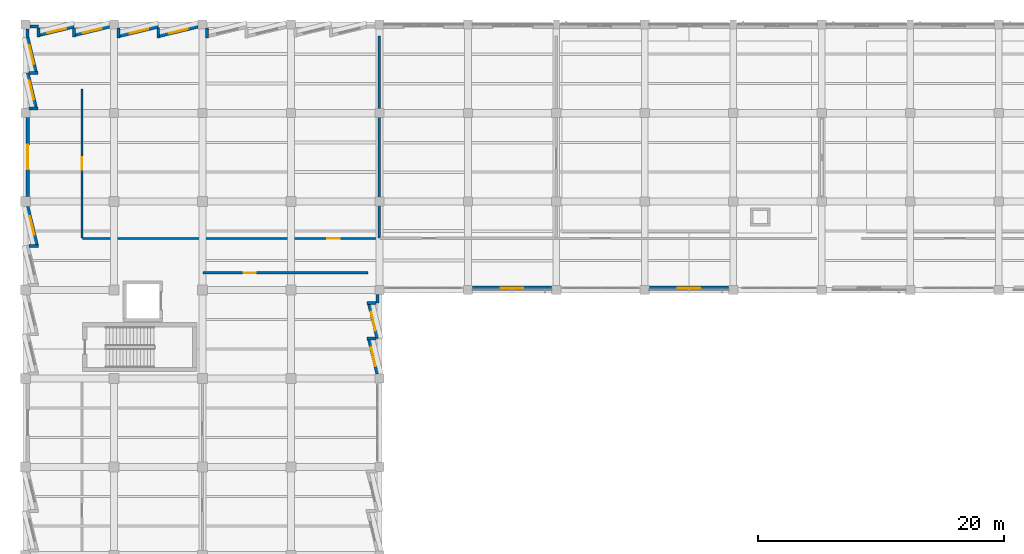
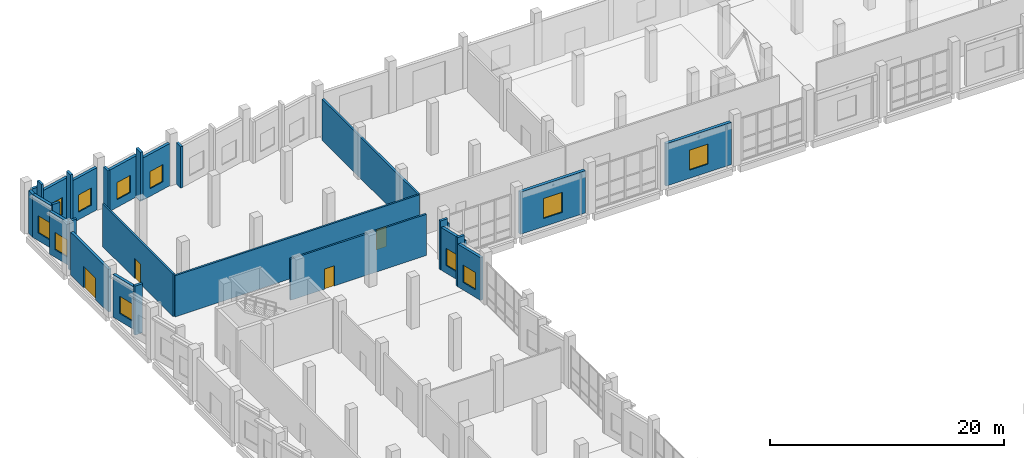
# One storey, part 108 of 137: 29 walls, 11 windows, 4 doors, 15 openings.
"""IFC4 building model written with IfcOpenShell, lengths in metres."""

from ifc_helpers import new_model, si_unit, direction, frame, frame_2d, origin, place, context, subcontext, project, spatial, rectangle, extrude, material, layer, layer_set, type_object, element, fill, save


model = new_model("IFC4")

# Units and contexts
model_context = context("Model", 3, precision=1e-05, world=origin(), true_north=direction((0.0, 1.0)))
body_context = subcontext(model_context, "Body", "Model", "MODEL_VIEW")
ifc_project = project(units=[si_unit("LENGTHUNIT", "METRE"), si_unit("AREAUNIT", "SQUARE_METRE"), si_unit("VOLUMEUNIT", "CUBIC_METRE"), si_unit("PLANEANGLEUNIT", "RADIAN"), si_unit("MASSUNIT", "GRAM", prefix="KILO")], contexts=[model_context])

# Site, building, storey
site_placement = place(None, origin())
site = spatial("IfcSite", under=ifc_project, at=site_placement, CompositionType="ELEMENT")
building_placement = place(site_placement, origin())
building = spatial("IfcBuilding", under=site, at=building_placement, Name="Kalmorath City Hall", CompositionType="ELEMENT")
storey_placement = place(building_placement, origin())
storey = spatial("IfcBuildingStorey", under=building, at=storey_placement, Name="L00", CompositionType="ELEMENT", Elevation=0.0)

# Wall, opening, door
ifc_material_1 = material(Name="Fire-rated acoustic gypsum partition")
ifc_layer_1 = layer(ifc_material_1, 0.179931640625)
ifc_layer_set_1 = layer_set([ifc_layer_1], Name="Fire-rated acoustic gypsum partition")
wall_type_1 = type_object("IfcWallType", Name="One-hour corridor fire partition 180", PredefinedType="PARTITIONING", material=ifc_layer_set_1)
wall_1_placement = place(storey_placement, frame((4.60009765625, 97.840087890625, 0.0), z_axis=(0.0, 0.0, 1.0), x_axis=(0.0, 1.0, 0.0)))
wall_1 = element("IfcWall", 1, at=wall_1_placement, inside=storey, type_object=wall_type_1, Name="L00 interior partition PW2 #22", PredefinedType="PARTITIONING", context=body_context, shape_type="SweptSolid", body=[
    extrude(rectangle(XDim=12.119873046875, YDim=0.179931640625, at=frame_2d((6.06005859375, 0.0))), origin(), (0.0, 0.0, 1.0), 4.449951171875),
])
opening_1_placement = place(wall_1_placement, frame((5.56005859375, 0.0, 0.0)))
opening_1 = element("IfcOpeningElement", 2, at=opening_1_placement, cuts=wall_1, Name="Opening D-L00-146", PredefinedType="OPENING", context=body_context, shape_type="SweptSolid", body=[
    extrude(rectangle(XDim=1.0, YDim=2.10009765625, at=frame_2d((0.5, 1.050048828125))), frame((0.0, 0.099853515625, 0.0), z_axis=(0.0, -1.0, 0.0), x_axis=(1.0, 0.0, 0.0)), (0.0, 0.0, 1.0), 0.199951171875),
])
ifc_material_2 = material(Name="Hardwood fire door", Category="wood")
door_type_1 = type_object("IfcDoorType", Name="Corridor 60-min fire door 1000x2100", OperationType="NOTDEFINED", PredefinedType="DOOR", material=ifc_material_2)
door_1_placement = place(opening_1_placement, origin())
door_1 = element("IfcDoor", 3, at=door_1_placement, inside=storey, type_object=door_type_1, Name="L00 door D-L00-146", OperationType="SINGLE_SWING_RIGHT", OverallHeight=2.10009765625, OverallWidth=1.0, PredefinedType="DOOR", context=body_context, shape_type="SweptSolid", body=[
    extrude(rectangle(XDim=1.0, YDim=2.10009765625, at=frame_2d((0.5, 1.050048828125))), frame((0.0, 0.02490234375, 0.0), z_axis=(0.0, -1.0, 0.0), x_axis=(1.0, 0.0, 0.0)), (0.0, 0.0, 1.0), 0.050048828125),
])
fill(opening_1, door_1)

wall_2_placement = place(storey_placement, frame((14.43994140625, 95.0, 0.0), z_axis=(0.0, 0.0, 1.0), x_axis=(1.0, 0.0, 0.0)))
wall_2 = element("IfcWall", 4, at=wall_2_placement, inside=storey, type_object=wall_type_1, Name="L00 interior partition PW2 #37", PredefinedType="PARTITIONING", context=body_context, shape_type="SweptSolid", body=[
    extrude(rectangle(XDim=13.420166015625, YDim=0.179931640625, at=frame_2d((6.7099609375, 0.0))), origin(), (0.0, 0.0, 1.0), 4.31103515625),
])
opening_2_placement = place(wall_2_placement, frame((3.31494140625, 0.0, 0.0)))
opening_2 = element("IfcOpeningElement", 5, at=opening_2_placement, cuts=wall_2, Name="Opening D-L00-143", PredefinedType="OPENING", context=body_context, shape_type="SweptSolid", body=[
    extrude(rectangle(XDim=1.0, YDim=2.10009765625, at=frame_2d((0.5, 1.050048828125))), frame((0.0, 0.099853515625, 0.0), z_axis=(0.0, -1.0, 0.0), x_axis=(1.0, 0.0, 0.0)), (0.0, 0.0, 1.0), 0.199951171875),
])
door_2_placement = place(opening_2_placement, origin())
door_2 = element("IfcDoor", 6, at=door_2_placement, inside=storey, type_object=door_type_1, Name="L00 door D-L00-143", OperationType="SINGLE_SWING_LEFT", OverallHeight=2.10009765625, OverallWidth=1.0, PredefinedType="DOOR", context=body_context, shape_type="SweptSolid", body=[
    extrude(rectangle(XDim=1.0, YDim=2.10009765625, at=frame_2d((0.5, 1.050048828125))), frame((0.0, 0.02490234375, 0.0), z_axis=(0.0, -1.0, 0.0), x_axis=(1.0, 0.0, 0.0)), (0.0, 0.0, 1.0), 0.050048828125),
])
fill(opening_2, door_2)

wall_3_placement = place(storey_placement, frame((4.639892578125, 97.800048828125, 0.0), z_axis=(0.0, 0.0, 1.0), x_axis=(1.0, 0.0, 0.0)))
wall_3 = element("IfcWall", 7, at=wall_3_placement, inside=storey, type_object=wall_type_1, Name="L00 interior partition PW2 #38", PredefinedType="PARTITIONING", context=body_context, shape_type="SweptSolid", body=[
    extrude(rectangle(XDim=24.1201171875, YDim=0.179931640625, at=frame_2d((12.06005859375, 0.0))), origin(), (0.0, 0.0, 1.0), 4.31103515625),
])
opening_3_placement = place(wall_3_placement, frame((19.9150390625, 0.0, 0.0)))
opening_3 = element("IfcOpeningElement", 8, at=opening_3_placement, cuts=wall_3, Name="Opening D-L00-145", PredefinedType="OPENING", context=body_context, shape_type="SweptSolid", body=[
    extrude(rectangle(XDim=1.0, YDim=2.10009765625, at=frame_2d((0.5, 1.050048828125))), frame((0.0, 0.099853515625, 0.0), z_axis=(0.0, -1.0, 0.0), x_axis=(1.0, 0.0, 0.0)), (0.0, 0.0, 1.0), 0.199951171875),
])
door_3_placement = place(opening_3_placement, origin())
door_3 = element("IfcDoor", 9, at=door_3_placement, inside=storey, type_object=door_type_1, Name="L00 door D-L00-145", OperationType="SINGLE_SWING_LEFT", OverallHeight=2.10009765625, OverallWidth=1.0, PredefinedType="DOOR", context=body_context, shape_type="SweptSolid", body=[
    extrude(rectangle(XDim=1.0, YDim=2.10009765625, at=frame_2d((0.5, 1.050048828125))), frame((0.0, 0.02490234375, 0.0), z_axis=(0.0, -1.0, 0.0), x_axis=(1.0, 0.0, 0.0)), (0.0, 0.0, 1.0), 0.050048828125),
])
fill(opening_3, door_3)

# Walls
ifc_material_3 = material(Name="Precast concrete C40/50", Category="concrete")
ifc_layer_2 = layer(ifc_material_3, 0.239990234375)
ifc_layer_set_2 = layer_set([ifc_layer_2], Name="Precast concrete C40/50")
wall_type_2 = type_object("IfcWallType", Name="Precast sawtooth cheek wall 240", PredefinedType="SOLIDWALL", material=ifc_layer_set_2)
wall_4_placement = place(storey_placement, frame((1.072998046875, 97.199951171875, 0.0), z_axis=(0.0, 0.0, 1.0), x_axis=(-1.0, 0.0, 0.0)))
element("IfcWall", 10, at=wall_4_placement, inside=storey, type_object=wall_type_2, Name="L00 sawtooth return cheek #50", PredefinedType="SOLIDWALL", context=body_context, shape_type="SweptSolid", body=[
    extrude(rectangle(XDim=0.781005859375, YDim=0.239990234375, at=frame_2d((0.390625, 0.0))), origin(), (0.0, 0.0, 1.0), 5.1201171875),
])
for number, where, z_axis, x_axis, name in (
    (11, (0.997314453125, 108.3759765625, 0.0), (0.0, 0.0, 1.0), (-1.0, 0.0, 0.0), "L00 sawtooth return cheek #54"),
    (12, (0.997314453125, 111.260009765625, 0.0), (0.0, 0.0, 1.0), (-1.0, 0.0, 0.0), "L00 sawtooth return cheek #56"),
):
    element("IfcWall", number, at=place(storey_placement, frame(where, z_axis=z_axis, x_axis=x_axis)), inside=storey, type_object=wall_type_2, Name=name, PredefinedType="SOLIDWALL", context=body_context, shape_type="SweptSolid", body=[
        extrude(rectangle(XDim=0.705322265625, YDim=0.239990234375, at=frame_2d((0.3525390625, 0.0))), origin(), (0.0, 0.0, 1.0), 5.1201171875),
    ])
wall_5_placement = place(storey_placement, frame((1.055908203125, 114.20263671875, 0.0), z_axis=(0.0, 0.0, 1.0), x_axis=(0.0, 1.0, 0.0)))
element("IfcWall", 13, at=wall_5_placement, inside=storey, type_object=wall_type_2, Name="L00 sawtooth return cheek #59", PredefinedType="SOLIDWALL", context=body_context, shape_type="SweptSolid", body=[
    extrude(rectangle(XDim=0.71533203125, YDim=0.239990234375, at=frame_2d((0.357666015625, 0.0))), origin(), (0.0, 0.0, 1.0), 5.1201171875),
])
wall_6_placement = place(storey_placement, frame((3.93994140625, 114.20263671875, 0.0), z_axis=(0.0, 0.0, 1.0), x_axis=(0.0, 1.0, 0.0)))
element("IfcWall", 14, at=wall_6_placement, inside=storey, type_object=wall_type_2, Name="L00 sawtooth return cheek #61", PredefinedType="SOLIDWALL", context=body_context, shape_type="SweptSolid", body=[
    extrude(rectangle(XDim=0.705322265625, YDim=0.239990234375, at=frame_2d((0.3525390625, 0.0))), origin(), (0.0, 0.0, 1.0), 5.1201171875),
])
wall_7_placement = place(storey_placement, frame((7.575927734375, 114.12109375, 0.0), z_axis=(0.0, 0.0, 1.0), x_axis=(0.0, 1.0, 0.0)))
element("IfcWall", 15, at=wall_7_placement, inside=storey, type_object=wall_type_2, Name="L00 sawtooth return cheek #63", PredefinedType="SOLIDWALL", context=body_context, shape_type="SweptSolid", body=[
    extrude(rectangle(XDim=0.786865234375, YDim=0.239990234375, at=frame_2d((0.3935546875, 0.0))), origin(), (0.0, 0.0, 1.0), 4.31103515625),
])
wall_8_placement = place(storey_placement, frame((10.800048828125, 114.12109375, 0.0), z_axis=(0.0, 0.0, 1.0), x_axis=(0.0, 1.0, 0.0)))
element("IfcWall", 16, at=wall_8_placement, inside=storey, type_object=wall_type_2, Name="L00 sawtooth return cheek #65", PredefinedType="SOLIDWALL", context=body_context, shape_type="SweptSolid", body=[
    extrude(rectangle(XDim=0.786865234375, YDim=0.239990234375, at=frame_2d((0.3935546875, 0.0))), origin(), (0.0, 0.0, 1.0), 5.1201171875),
])
wall_9_placement = place(storey_placement, frame((14.77587890625, 114.12109375, 0.0), z_axis=(0.0, 0.0, 1.0), x_axis=(0.0, 1.0, 0.0)))
element("IfcWall", 17, at=wall_9_placement, inside=storey, type_object=wall_type_2, Name="L00 sawtooth return cheek #67", PredefinedType="SOLIDWALL", context=body_context, shape_type="SweptSolid", body=[
    extrude(rectangle(XDim=0.786865234375, YDim=0.239990234375, at=frame_2d((0.3935546875, 0.0))), origin(), (0.0, 0.0, 1.0), 4.31103515625),
])
wall_10_placement = place(storey_placement, frame((27.802490234375, 92.5439453125, 0.0), z_axis=(0.0, 0.0, 1.0), x_axis=(1.0, 0.0, 0.0)))
element("IfcWall", 18, at=wall_10_placement, inside=storey, type_object=wall_type_2, Name="L00 sawtooth return cheek #144", PredefinedType="SOLIDWALL", context=body_context, shape_type="SweptSolid", body=[
    extrude(rectangle(XDim=0.715576171875, YDim=0.239990234375, at=frame_2d((0.35791015625, 0.0))), origin(), (0.0, 0.0, 1.0), 5.1201171875),
])
wall_11_placement = place(storey_placement, frame((27.802490234375, 89.659912109375, 0.0), z_axis=(0.0, 0.0, 1.0), x_axis=(1.0, 0.0, 0.0)))
element("IfcWall", 19, at=wall_11_placement, inside=storey, type_object=wall_type_2, Name="L00 sawtooth return cheek #146", PredefinedType="SOLIDWALL", context=body_context, shape_type="SweptSolid", body=[
    extrude(rectangle(XDim=0.70556640625, YDim=0.239990234375, at=frame_2d((0.352783203125, 0.0))), origin(), (0.0, 0.0, 1.0), 5.1201171875),
])

# Wall, opening, window
ifc_material_4 = material(Name="Precast concrete C40/50", Category="concrete")
ifc_layer_3 = layer(ifc_material_4, 0.280029296875)
ifc_layer_set_3 = layer_set([ifc_layer_3], Name="Precast concrete C40/50")
wall_type_3 = type_object("IfcWallType", Name="Precast sawtooth facade wall 280", PredefinedType="SOLIDWALL", material=ifc_layer_set_3)
wall_12_placement = place(storey_placement, frame((0.90576171875, 97.29248046875, 0.0), z_axis=(0.0, 0.0, 1.0), x_axis=(-0.233462551123, 0.972365793939, 0.0)))
wall_12 = element("IfcWall", 20, at=wall_12_placement, inside=storey, type_object=wall_type_3, Name="L00 sawtooth precast frame #49", PredefinedType="SOLIDWALL", context=body_context, shape_type="SweptSolid", body=[
    extrude(rectangle(XDim=3.19482421875, YDim=0.280029296875, at=frame_2d((1.597412109375, 0.0))), origin(), (0.0, 0.0, 1.0), 4.4609375),
])
opening_4_placement = place(wall_12_placement, frame((0.822509765625, 0.0, 0.800048828125)))
opening_4 = element("IfcOpeningElement", 21, at=opening_4_placement, cuts=wall_12, Name="Opening WN5", PredefinedType="OPENING", context=body_context, shape_type="SweptSolid", body=[
    extrude(rectangle(XDim=1.550048828125, YDim=1.800048828125, at=frame_2d((0.77490234375, 0.89990234375))), frame((0.0, 0.14990234375, 0.0), z_axis=(0.0, -1.0, 0.0), x_axis=(1.0, 0.0, 0.0)), (0.0, 0.0, 1.0), 0.300048828125),
])
ifc_material_5 = material(Name="Aluminium and laminated glass", Category="aluminium")
window_type_1 = type_object("IfcWindowType", Name="Sawtooth corner bay window 1550x1800", PartitioningType="SINGLE_PANEL", PredefinedType="WINDOW", material=ifc_material_5)
window_1_placement = place(opening_4_placement, origin())
window_1 = element("IfcWindow", 22, at=window_1_placement, inside=storey, type_object=window_type_1, Name="L00 window WN5-22", OverallHeight=1.800048828125, OverallWidth=1.550048828125, PartitioningType="SINGLE_PANEL", PredefinedType="WINDOW", context=body_context, shape_type="SweptSolid", body=[
    extrude(rectangle(XDim=1.550048828125, YDim=1.800048828125, at=frame_2d((0.77490234375, 0.89990234375))), frame((0.0, 0.030029296875, 0.0), z_axis=(0.0, -1.0, 0.0), x_axis=(1.0, 0.0, 0.0)), (0.0, 0.0, 1.0), 0.06005859375),
])
fill(opening_4, window_1)

# Wall, opening, door
wall_13_placement = place(storey_placement, frame((0.179931640625, 101.200927734375, 0.0), z_axis=(0.0, 0.0, 1.0), x_axis=(0.0, 1.0, 0.0)))
wall_13 = element("IfcWall", 23, at=wall_13_placement, inside=storey, type_object=wall_type_3, Name="L00 entrance portal wall #51", PredefinedType="SOLIDWALL", context=body_context, shape_type="SweptSolid", body=[
    extrude(rectangle(XDim=6.423095703125, YDim=0.280029296875, at=frame_2d((3.21142578125, 0.0))), origin(), (0.0, 0.0, 1.0), 4.4609375),
])
opening_5_placement = place(wall_13_placement, frame((2.21142578125, 0.0, 0.0)))
opening_5 = element("IfcOpeningElement", 24, at=opening_5_placement, cuts=wall_13, Name="Opening D-E004", PredefinedType="OPENING", context=body_context, shape_type="SweptSolid", body=[
    extrude(rectangle(XDim=2.0, YDim=2.25, at=frame_2d((1.0, 1.125))), frame((0.0, 0.14990234375, 0.0), z_axis=(0.0, -1.0, 0.0), x_axis=(1.0, 0.0, 0.0)), (0.0, 0.0, 1.0), 0.300048828125),
])
ifc_material_6 = material(Name="Galvanised steel and impact glass", Category="steel")
door_type_2 = type_object("IfcDoorType", Name="Hurricane exit discharge double door 2000x2250", OperationType="DOUBLE_DOOR_SINGLE_SWING", PredefinedType="DOOR", material=ifc_material_6)
door_4_placement = place(opening_5_placement, origin())
door_4 = element("IfcDoor", 25, at=door_4_placement, inside=storey, type_object=door_type_2, Name="L00 exterior door D-E004", OperationType="DOUBLE_DOOR_SINGLE_SWING", OverallHeight=2.25, OverallWidth=2.0, PredefinedType="DOOR", context=body_context, shape_type="SweptSolid", body=[
    extrude(rectangle(XDim=2.0, YDim=2.25, at=frame_2d((1.0, 1.125))), frame((0.0, 0.02490234375, 0.0), z_axis=(0.0, -1.0, 0.0), x_axis=(1.0, 0.0, 0.0)), (0.0, 0.0, 1.0), 0.050048828125),
])
fill(opening_5, door_4)

# Wall, opening, window
wall_14_placement = place(storey_placement, frame((0.830078125, 108.468505859375, 0.0), z_axis=(0.0, 0.0, 1.0), x_axis=(-0.233440496677, 0.972371088891, 0.0)))
wall_14 = element("IfcWall", 26, at=wall_14_placement, inside=storey, type_object=wall_type_3, Name="L00 sawtooth precast frame #53", PredefinedType="SOLIDWALL", context=body_context, shape_type="SweptSolid", body=[
    extrude(rectangle(XDim=2.870849609375, YDim=0.280029296875, at=frame_2d((1.435546875, 0.0))), origin(), (0.0, 0.0, 1.0), 4.4609375),
])
opening_6_placement = place(wall_14_placement, frame((0.660400390625, 0.0, 0.800048828125)))
opening_6 = element("IfcOpeningElement", 27, at=opening_6_placement, cuts=wall_14, Name="Opening WN5", PredefinedType="OPENING", context=body_context, shape_type="SweptSolid", body=[
    extrude(rectangle(XDim=1.550048828125, YDim=1.800048828125, at=frame_2d((0.77490234375, 0.89990234375))), frame((0.0, 0.14990234375, 0.0), z_axis=(0.0, -1.0, 0.0), x_axis=(1.0, 0.0, 0.0)), (0.0, 0.0, 1.0), 0.300048828125),
])
window_2_placement = place(opening_6_placement, origin())
window_2 = element("IfcWindow", 28, at=window_2_placement, inside=storey, type_object=window_type_1, Name="L00 window WN5-23", OverallHeight=1.800048828125, OverallWidth=1.550048828125, PartitioningType="SINGLE_PANEL", PredefinedType="WINDOW", context=body_context, shape_type="SweptSolid", body=[
    extrude(rectangle(XDim=1.550048828125, YDim=1.800048828125, at=frame_2d((0.77490234375, 0.89990234375))), frame((0.0, 0.030029296875, 0.0), z_axis=(0.0, -1.0, 0.0), x_axis=(1.0, 0.0, 0.0)), (0.0, 0.0, 1.0), 0.06005859375),
])
fill(opening_6, window_2)

wall_15_placement = place(storey_placement, frame((0.830078125, 111.352294921875, 0.0), z_axis=(0.0, 0.0, 1.0), x_axis=(-0.233421194459, 0.972375722639, 0.0)))
wall_15 = element("IfcWall", 29, at=wall_15_placement, inside=storey, type_object=wall_type_3, Name="L00 sawtooth precast frame #55", PredefinedType="SOLIDWALL", context=body_context, shape_type="SweptSolid", body=[
    extrude(rectangle(XDim=2.87109375, YDim=0.280029296875, at=frame_2d((1.435546875, 0.0))), origin(), (0.0, 0.0, 1.0), 4.4609375),
])
opening_7_placement = place(wall_15_placement, frame((0.660400390625, 0.0, 0.800048828125)))
opening_7 = element("IfcOpeningElement", 30, at=opening_7_placement, cuts=wall_15, Name="Opening WN5", PredefinedType="OPENING", context=body_context, shape_type="SweptSolid", body=[
    extrude(rectangle(XDim=1.550048828125, YDim=1.800048828125, at=frame_2d((0.77490234375, 0.89990234375))), frame((0.0, 0.14990234375, 0.0), z_axis=(0.0, -1.0, 0.0), x_axis=(1.0, 0.0, 0.0)), (0.0, 0.0, 1.0), 0.300048828125),
])
window_3_placement = place(opening_7_placement, origin())
window_3 = element("IfcWindow", 31, at=window_3_placement, inside=storey, type_object=window_type_1, Name="L00 window WN5-24", OverallHeight=1.800048828125, OverallWidth=1.550048828125, PartitioningType="SINGLE_PANEL", PredefinedType="WINDOW", context=body_context, shape_type="SweptSolid", body=[
    extrude(rectangle(XDim=1.550048828125, YDim=1.800048828125, at=frame_2d((0.77490234375, 0.89990234375))), frame((0.0, 0.030029296875, 0.0), z_axis=(0.0, -1.0, 0.0), x_axis=(1.0, 0.0, 0.0)), (0.0, 0.0, 1.0), 0.06005859375),
])
fill(opening_7, window_3)

wall_16_placement = place(storey_placement, frame((1.1484375, 114.369873046875, 0.0), z_axis=(0.0, 0.0, 1.0), x_axis=(0.972371088891, 0.233440496677, 0.0)))
wall_16 = element("IfcWall", 32, at=wall_16_placement, inside=storey, type_object=wall_type_3, Name="L00 sawtooth precast frame #58", PredefinedType="SOLIDWALL", context=body_context, shape_type="SweptSolid", body=[
    extrude(rectangle(XDim=2.870849609375, YDim=0.280029296875, at=frame_2d((1.435546875, 0.0))), origin(), (0.0, 0.0, 1.0), 4.410888671875),
])
opening_8_placement = place(wall_16_placement, frame((0.660400390625, 0.0, 0.800048828125)))
opening_8 = element("IfcOpeningElement", 33, at=opening_8_placement, cuts=wall_16, Name="Opening WN5", PredefinedType="OPENING", context=body_context, shape_type="SweptSolid", body=[
    extrude(rectangle(XDim=1.550048828125, YDim=1.800048828125, at=frame_2d((0.77490234375, 0.89990234375))), frame((0.0, 0.14990234375, 0.0), z_axis=(0.0, -1.0, 0.0), x_axis=(1.0, 0.0, 0.0)), (0.0, 0.0, 1.0), 0.300048828125),
])
window_4_placement = place(opening_8_placement, origin())
window_4 = element("IfcWindow", 34, at=window_4_placement, inside=storey, type_object=window_type_1, Name="L00 window WN5-25", OverallHeight=1.800048828125, OverallWidth=1.550048828125, PartitioningType="SINGLE_PANEL", PredefinedType="WINDOW", context=body_context, shape_type="SweptSolid", body=[
    extrude(rectangle(XDim=1.550048828125, YDim=1.800048828125, at=frame_2d((0.77490234375, 0.89990234375))), frame((0.0, 0.030029296875, 0.0), z_axis=(0.0, -1.0, 0.0), x_axis=(1.0, 0.0, 0.0)), (0.0, 0.0, 1.0), 0.06005859375),
])
fill(opening_8, window_4)

wall_17_placement = place(storey_placement, frame((4.032470703125, 114.369873046875, 0.0), z_axis=(0.0, 0.0, 1.0), x_axis=(0.972371088891, 0.233440496677, 0.0)))
wall_17 = element("IfcWall", 35, at=wall_17_placement, inside=storey, type_object=wall_type_3, Name="L00 sawtooth precast frame #60", PredefinedType="SOLIDWALL", context=body_context, shape_type="SweptSolid", body=[
    extrude(rectangle(XDim=2.870849609375, YDim=0.280029296875, at=frame_2d((1.435546875, 0.0))), origin(), (0.0, 0.0, 1.0), 4.410888671875),
])
opening_9_placement = place(wall_17_placement, frame((0.660400390625, 0.0, 0.800048828125)))
opening_9 = element("IfcOpeningElement", 36, at=opening_9_placement, cuts=wall_17, Name="Opening WN5", PredefinedType="OPENING", context=body_context, shape_type="SweptSolid", body=[
    extrude(rectangle(XDim=1.550048828125, YDim=1.800048828125, at=frame_2d((0.77490234375, 0.89990234375))), frame((0.0, 0.14990234375, 0.0), z_axis=(0.0, -1.0, 0.0), x_axis=(1.0, 0.0, 0.0)), (0.0, 0.0, 1.0), 0.300048828125),
])
window_5_placement = place(opening_9_placement, origin())
window_5 = element("IfcWindow", 37, at=window_5_placement, inside=storey, type_object=window_type_1, Name="L00 window WN5-26", OverallHeight=1.800048828125, OverallWidth=1.550048828125, PartitioningType="SINGLE_PANEL", PredefinedType="WINDOW", context=body_context, shape_type="SweptSolid", body=[
    extrude(rectangle(XDim=1.550048828125, YDim=1.800048828125, at=frame_2d((0.77490234375, 0.89990234375))), frame((0.0, 0.030029296875, 0.0), z_axis=(0.0, -1.0, 0.0), x_axis=(1.0, 0.0, 0.0)), (0.0, 0.0, 1.0), 0.06005859375),
])
fill(opening_9, window_5)

wall_18_placement = place(storey_placement, frame((7.66845703125, 114.2880859375, 0.0), z_axis=(0.0, 0.0, 1.0), x_axis=(0.972361148033, 0.233481900362, 0.0)))
wall_18 = element("IfcWall", 38, at=wall_18_placement, inside=storey, type_object=wall_type_3, Name="L00 sawtooth precast frame #62", PredefinedType="SOLIDWALL", context=body_context, shape_type="SweptSolid", body=[
    extrude(rectangle(XDim=3.220703125, YDim=0.280029296875, at=frame_2d((1.6103515625, 0.0))), origin(), (0.0, 0.0, 1.0), 4.31103515625),
])
opening_10_placement = place(wall_18_placement, frame((0.835205078125, 0.0, 0.800048828125)))
opening_10 = element("IfcOpeningElement", 39, at=opening_10_placement, cuts=wall_18, Name="Opening WN5", PredefinedType="OPENING", context=body_context, shape_type="SweptSolid", body=[
    extrude(rectangle(XDim=1.550048828125, YDim=1.800048828125, at=frame_2d((0.77490234375, 0.89990234375))), frame((0.0, 0.14990234375, 0.0), z_axis=(0.0, -1.0, 0.0), x_axis=(1.0, 0.0, 0.0)), (0.0, 0.0, 1.0), 0.300048828125),
])
window_6_placement = place(opening_10_placement, origin())
window_6 = element("IfcWindow", 40, at=window_6_placement, inside=storey, type_object=window_type_1, Name="L00 window WN5-27", OverallHeight=1.800048828125, OverallWidth=1.550048828125, PartitioningType="SINGLE_PANEL", PredefinedType="WINDOW", context=body_context, shape_type="SweptSolid", body=[
    extrude(rectangle(XDim=1.550048828125, YDim=1.800048828125, at=frame_2d((0.77490234375, 0.89990234375))), frame((0.0, 0.030029296875, 0.0), z_axis=(0.0, -1.0, 0.0), x_axis=(1.0, 0.0, 0.0)), (0.0, 0.0, 1.0), 0.06005859375),
])
fill(opening_10, window_6)

wall_19_placement = place(storey_placement, frame((10.892333984375, 114.2880859375, 0.0), z_axis=(0.0, 0.0, 1.0), x_axis=(0.972361148033, 0.233481900362, 0.0)))
wall_19 = element("IfcWall", 41, at=wall_19_placement, inside=storey, type_object=wall_type_3, Name="L00 sawtooth precast frame #64", PredefinedType="SOLIDWALL", context=body_context, shape_type="SweptSolid", body=[
    extrude(rectangle(XDim=3.220703125, YDim=0.280029296875, at=frame_2d((1.6103515625, 0.0))), origin(), (0.0, 0.0, 1.0), 4.410888671875),
])
opening_11_placement = place(wall_19_placement, frame((0.835205078125, 0.0, 0.800048828125)))
opening_11 = element("IfcOpeningElement", 42, at=opening_11_placement, cuts=wall_19, Name="Opening WN5", PredefinedType="OPENING", context=body_context, shape_type="SweptSolid", body=[
    extrude(rectangle(XDim=1.550048828125, YDim=1.800048828125, at=frame_2d((0.77490234375, 0.89990234375))), frame((0.0, 0.14990234375, 0.0), z_axis=(0.0, -1.0, 0.0), x_axis=(1.0, 0.0, 0.0)), (0.0, 0.0, 1.0), 0.300048828125),
])
window_7_placement = place(opening_11_placement, origin())
window_7 = element("IfcWindow", 43, at=window_7_placement, inside=storey, type_object=window_type_1, Name="L00 window WN5-28", OverallHeight=1.800048828125, OverallWidth=1.550048828125, PartitioningType="SINGLE_PANEL", PredefinedType="WINDOW", context=body_context, shape_type="SweptSolid", body=[
    extrude(rectangle(XDim=1.550048828125, YDim=1.800048828125, at=frame_2d((0.77490234375, 0.89990234375))), frame((0.0, 0.030029296875, 0.0), z_axis=(0.0, -1.0, 0.0), x_axis=(1.0, 0.0, 0.0)), (0.0, 0.0, 1.0), 0.06005859375),
])
fill(opening_11, window_7)

wall_20_placement = place(storey_placement, frame((27.9697265625, 92.45166015625, 0.0), z_axis=(0.0, 0.0, 1.0), x_axis=(0.233421194459, -0.972375722639, 0.0)))
wall_20 = element("IfcWall", 44, at=wall_20_placement, inside=storey, type_object=wall_type_3, Name="L00 sawtooth precast frame #143", PredefinedType="SOLIDWALL", context=body_context, shape_type="SweptSolid", body=[
    extrude(rectangle(XDim=2.87109375, YDim=0.280029296875, at=frame_2d((1.435546875, 0.0))), origin(), (0.0, 0.0, 1.0), 4.4609375),
])
opening_12_placement = place(wall_20_placement, frame((0.660400390625, 0.0, 0.800048828125)))
opening_12 = element("IfcOpeningElement", 45, at=opening_12_placement, cuts=wall_20, Name="Opening WN5", PredefinedType="OPENING", context=body_context, shape_type="SweptSolid", body=[
    extrude(rectangle(XDim=1.550048828125, YDim=1.800048828125, at=frame_2d((0.77490234375, 0.89990234375))), frame((0.0, 0.14990234375, 0.0), z_axis=(0.0, -1.0, 0.0), x_axis=(1.0, 0.0, 0.0)), (0.0, 0.0, 1.0), 0.300048828125),
])
window_8_placement = place(opening_12_placement, origin())
window_8 = element("IfcWindow", 46, at=window_8_placement, inside=storey, type_object=window_type_1, Name="L00 window WN5-67", OverallHeight=1.800048828125, OverallWidth=1.550048828125, PartitioningType="SINGLE_PANEL", PredefinedType="WINDOW", context=body_context, shape_type="SweptSolid", body=[
    extrude(rectangle(XDim=1.550048828125, YDim=1.800048828125, at=frame_2d((0.77490234375, 0.89990234375))), frame((0.0, 0.030029296875, 0.0), z_axis=(0.0, -1.0, 0.0), x_axis=(1.0, 0.0, 0.0)), (0.0, 0.0, 1.0), 0.06005859375),
])
fill(opening_12, window_8)

wall_21_placement = place(storey_placement, frame((27.9697265625, 89.567626953125, 0.0), z_axis=(0.0, 0.0, 1.0), x_axis=(0.233421194459, -0.972375722639, 0.0)))
wall_21 = element("IfcWall", 47, at=wall_21_placement, inside=storey, type_object=wall_type_3, Name="L00 sawtooth precast frame #145", PredefinedType="SOLIDWALL", context=body_context, shape_type="SweptSolid", body=[
    extrude(rectangle(XDim=2.87109375, YDim=0.280029296875, at=frame_2d((1.435546875, 0.0))), origin(), (0.0, 0.0, 1.0), 4.4609375),
])
opening_13_placement = place(wall_21_placement, frame((0.660400390625, 0.0, 0.800048828125)))
opening_13 = element("IfcOpeningElement", 48, at=opening_13_placement, cuts=wall_21, Name="Opening WN5", PredefinedType="OPENING", context=body_context, shape_type="SweptSolid", body=[
    extrude(rectangle(XDim=1.550048828125, YDim=1.800048828125, at=frame_2d((0.77490234375, 0.89990234375))), frame((0.0, 0.14990234375, 0.0), z_axis=(0.0, -1.0, 0.0), x_axis=(1.0, 0.0, 0.0)), (0.0, 0.0, 1.0), 0.300048828125),
])
window_9_placement = place(opening_13_placement, origin())
window_9 = element("IfcWindow", 49, at=window_9_placement, inside=storey, type_object=window_type_1, Name="L00 window WN5-68", OverallHeight=1.800048828125, OverallWidth=1.550048828125, PartitioningType="SINGLE_PANEL", PredefinedType="WINDOW", context=body_context, shape_type="SweptSolid", body=[
    extrude(rectangle(XDim=1.550048828125, YDim=1.800048828125, at=frame_2d((0.77490234375, 0.89990234375))), frame((0.0, 0.030029296875, 0.0), z_axis=(0.0, -1.0, 0.0), x_axis=(1.0, 0.0, 0.0)), (0.0, 0.0, 1.0), 0.06005859375),
])
fill(opening_13, window_9)

# Walls
ifc_material_7 = material(Name="Precast concrete C40/50", Category="concrete")
ifc_layer_4 = layer(ifc_material_7, 0.260009765625)
ifc_layer_set_4 = layer_set([ifc_layer_4], Name="Precast concrete C40/50")
wall_type_4 = type_object("IfcWallType", Name="Precast sawtooth return wall 260", PredefinedType="SOLIDWALL", material=ifc_layer_set_4)
wall_22_placement = place(storey_placement, frame((0.159912109375, 114.14404296875, 0.0), z_axis=(0.0, 0.0, 1.0), x_axis=(0.0, 1.0, 0.0)))
element("IfcWall", 50, at=wall_22_placement, inside=storey, type_object=wall_type_4, Name="L00 corner pier wall #52", PredefinedType="SOLIDWALL", context=body_context, shape_type="SweptSolid", body=[
    extrude(rectangle(XDim=0.679931640625, YDim=0.260009765625, at=frame_2d((0.33984375, 0.0))), origin(), (0.0, 0.0, 1.0), 4.4609375),
])
wall_23_placement = place(storey_placement, frame((0.3759765625, 115.0400390625, 0.0), z_axis=(0.0, 0.0, 1.0), x_axis=(1.0, 0.0, 0.0)))
element("IfcWall", 51, at=wall_23_placement, inside=storey, type_object=wall_type_4, Name="L00 corner pier wall #57", PredefinedType="SOLIDWALL", context=body_context, shape_type="SweptSolid", body=[
    extrude(rectangle(XDim=0.679931640625, YDim=0.260009765625, at=frame_2d((0.33984375, 0.0))), origin(), (0.0, 0.0, 1.0), 4.410888671875),
])
wall_24_placement = place(storey_placement, frame((28.639892578125, 93.22412109375, 0.0), z_axis=(0.0, 0.0, 1.0), x_axis=(0.0, -1.0, 0.0)))
element("IfcWall", 52, at=wall_24_placement, inside=storey, type_object=wall_type_4, Name="L00 corner pier wall #142", PredefinedType="SOLIDWALL", context=body_context, shape_type="SweptSolid", body=[
    extrude(rectangle(XDim=0.68017578125, YDim=0.260009765625, at=frame_2d((0.340087890625, 0.0))), origin(), (0.0, 0.0, 1.0), 4.4609375),
])
ifc_material_8 = material(Name="Gypsum fire-rated shaftliner partition")
ifc_layer_5 = layer(ifc_material_8, 0.199951171875)
ifc_layer_set_5 = layer_set([ifc_layer_5], Name="Gypsum fire-rated shaftliner partition")
wall_type_5 = type_object("IfcWallType", Name="Two-hour fire barrier partition 200", PredefinedType="PARTITIONING", material=ifc_layer_set_5)
wall_25_placement = place(storey_placement, frame((28.800048828125, 97.840087890625, 0.0), z_axis=(0.0, 0.0, 1.0), x_axis=(0.0, 1.0, 0.0)))
element("IfcWall", 53, at=wall_25_placement, inside=storey, type_object=wall_type_5, Name="L00 interior partition PW1 #58", PredefinedType="PARTITIONING", context=body_context, shape_type="SweptSolid", body=[
    extrude(rectangle(XDim=16.419921875, YDim=0.199951171875, at=frame_2d((8.2099609375, 0.0))), origin(), (0.0, 0.0, 1.0), 4.31103515625),
])

# Wall, opening, window
ifc_material_9 = material(Name="Concrete C40/50", Category="concrete")
ifc_layer_6 = layer(ifc_material_9, 0.300048828125)
ifc_layer_set_6 = layer_set([ifc_layer_6], Name="Concrete C40/50")
wall_type_6 = type_object("IfcWallType", Name="Volcanic basalt backup wall 300", PredefinedType="SOLIDWALL", material=ifc_layer_set_6)
wall_26_placement = place(storey_placement, frame((57.22412109375, 93.760009765625, 0.0), z_axis=(0.0, 0.0, 1.0), x_axis=(-1.0, 0.0, 0.0)))
wall_26 = element("IfcWall", 54, at=wall_26_placement, inside=storey, type_object=wall_type_6, Name="L00 basalt wing wall #140", PredefinedType="SOLIDWALL", context=body_context, shape_type="SweptSolid", body=[
    extrude(rectangle(XDim=6.4482421875, YDim=0.300048828125, at=frame_2d((3.22412109375, 0.0))), origin(), (0.0, 0.0, 1.0), 4.410888671875),
])
opening_14_placement = place(wall_26_placement, frame((2.299072265625, 0.0, 0.85009765625)))
opening_14 = element("IfcOpeningElement", 55, at=opening_14_placement, cuts=wall_26, Name="Opening WN8", PredefinedType="OPENING", context=body_context, shape_type="SweptSolid", body=[
    extrude(rectangle(XDim=1.85009765625, YDim=2.10009765625, at=frame_2d((0.925048828125, 1.050048828125))), frame((0.0, 0.159912109375, 0.0), z_axis=(0.0, -1.0, 0.0), x_axis=(1.0, 0.0, 0.0)), (0.0, 0.0, 1.0), 0.320068359375),
])
ifc_material_10 = material(Name="Bronze-anodised aluminium and glass", Category="aluminium")
window_type_2 = type_object("IfcWindowType", Name="Basalt deep-reveal window 1850x2100", PartitioningType="SINGLE_PANEL", PredefinedType="WINDOW", material=ifc_material_10)
window_10_placement = place(opening_14_placement, origin())
window_10 = element("IfcWindow", 56, at=window_10_placement, inside=storey, type_object=window_type_2, Name="L00 window WN8-65", OverallHeight=2.10009765625, OverallWidth=1.85009765625, PartitioningType="SINGLE_PANEL", PredefinedType="WINDOW", context=body_context, shape_type="SweptSolid", body=[
    extrude(rectangle(XDim=1.85009765625, YDim=2.10009765625, at=frame_2d((0.925048828125, 1.050048828125))), frame((0.0, 0.030029296875, 0.0), z_axis=(0.0, -1.0, 0.0), x_axis=(1.0, 0.0, 0.0)), (0.0, 0.0, 1.0), 0.06005859375),
])
fill(opening_14, window_10)

wall_27_placement = place(storey_placement, frame((42.823974609375, 93.760009765625, 0.0), z_axis=(0.0, 0.0, 1.0), x_axis=(-1.0, 0.0, 0.0)))
wall_27 = element("IfcWall", 57, at=wall_27_placement, inside=storey, type_object=wall_type_6, Name="L00 basalt wing wall #141", PredefinedType="SOLIDWALL", context=body_context, shape_type="SweptSolid", body=[
    extrude(rectangle(XDim=6.447998046875, YDim=0.300048828125, at=frame_2d((3.22412109375, 0.0))), origin(), (0.0, 0.0, 1.0), 4.410888671875),
])
opening_15_placement = place(wall_27_placement, frame((2.299072265625, 0.0, 0.85009765625)))
opening_15 = element("IfcOpeningElement", 58, at=opening_15_placement, cuts=wall_27, Name="Opening WN8", PredefinedType="OPENING", context=body_context, shape_type="SweptSolid", body=[
    extrude(rectangle(XDim=1.85009765625, YDim=2.10009765625, at=frame_2d((0.925048828125, 1.050048828125))), frame((0.0, 0.159912109375, 0.0), z_axis=(0.0, -1.0, 0.0), x_axis=(1.0, 0.0, 0.0)), (0.0, 0.0, 1.0), 0.320068359375),
])
window_11_placement = place(opening_15_placement, origin())
window_11 = element("IfcWindow", 59, at=window_11_placement, inside=storey, type_object=window_type_2, Name="L00 window WN8-66", OverallHeight=2.10009765625, OverallWidth=1.85009765625, PartitioningType="SINGLE_PANEL", PredefinedType="WINDOW", context=body_context, shape_type="SweptSolid", body=[
    extrude(rectangle(XDim=1.85009765625, YDim=2.10009765625, at=frame_2d((0.925048828125, 1.050048828125))), frame((0.0, 0.030029296875, 0.0), z_axis=(0.0, -1.0, 0.0), x_axis=(1.0, 0.0, 0.0)), (0.0, 0.0, 1.0), 0.06005859375),
])
fill(opening_15, window_11)

save(model, "model.ifc")
